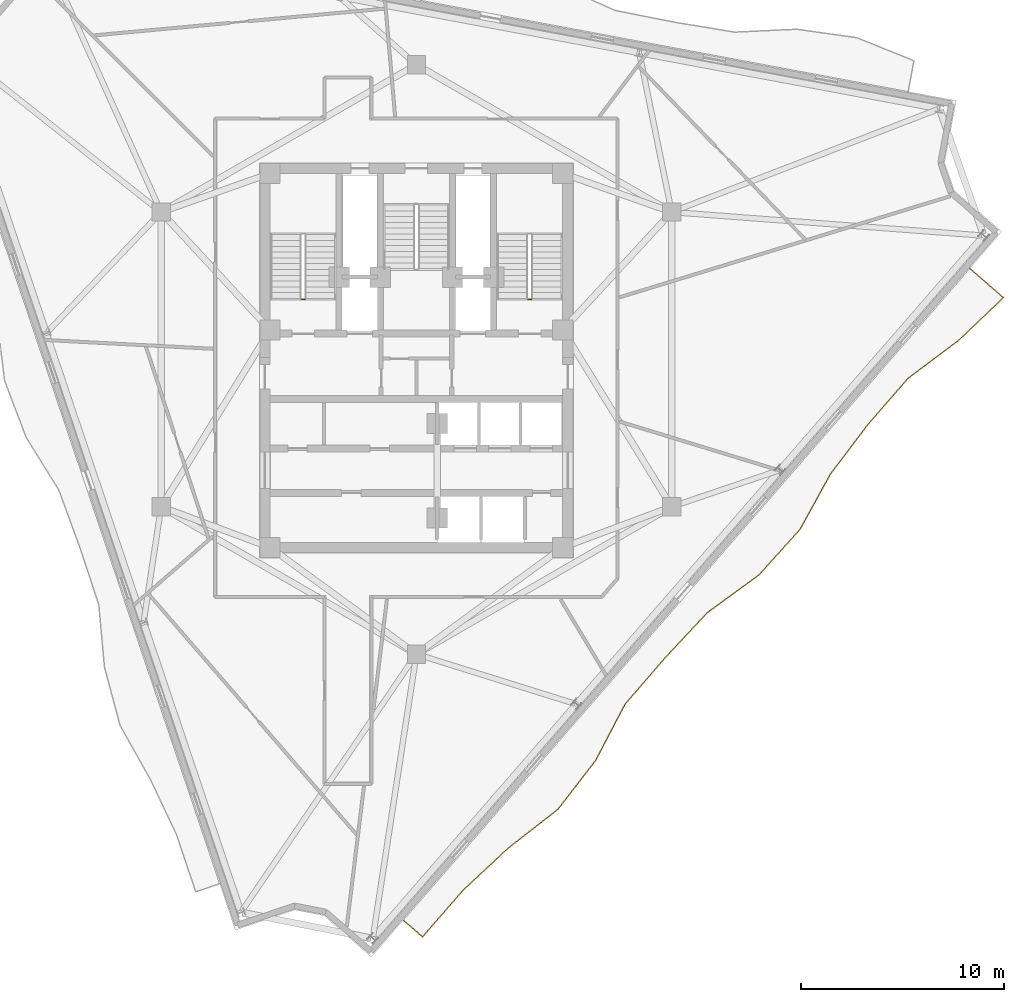
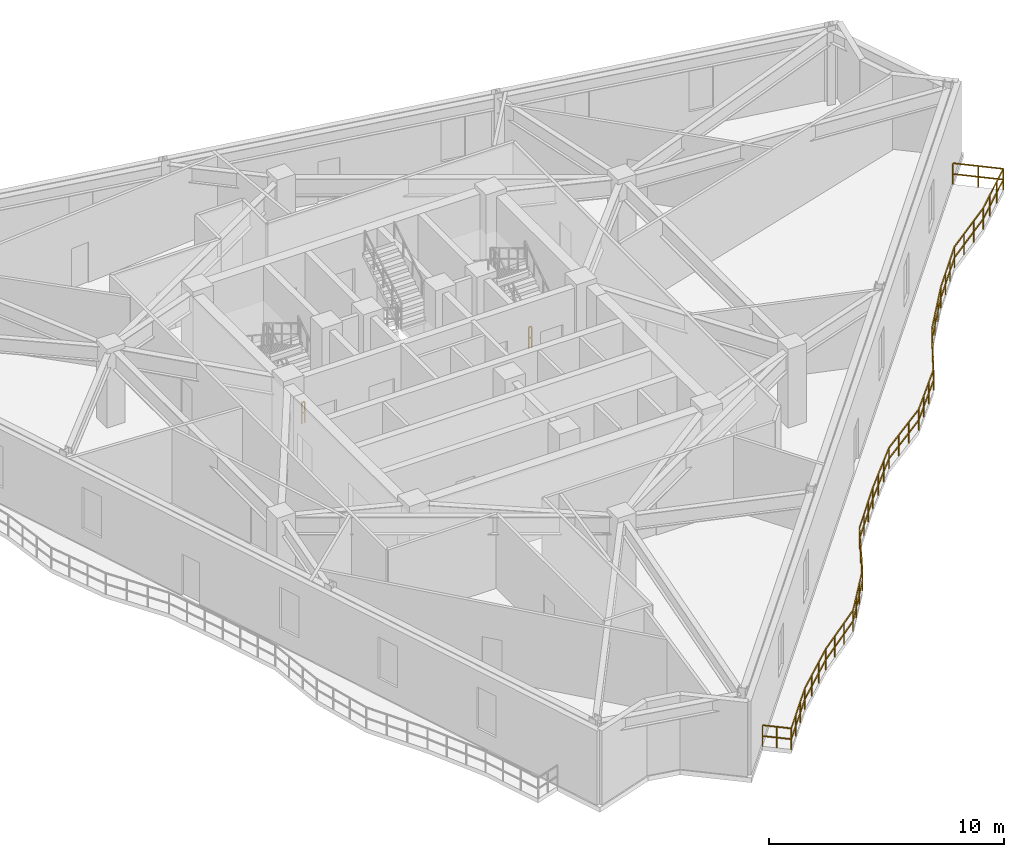
# One storey, part 9 of 11: 3 railings.
"""IFC4 building model written with IfcOpenShell, lengths in metres."""

from ifc_helpers import new_model, si_unit, direction, frame, origin, origin_2d, place, context, subcontext, project, spatial, rectangle, extrude, material, type_object, element, save


model = new_model("IFC4")

# Units and contexts
model_context = context("Model", 3, precision=1e-05, world=origin(), true_north=direction((0.0, 1.0)))
body_context = subcontext(model_context, "Body", "Model", "MODEL_VIEW")
ifc_project = project(units=[si_unit("LENGTHUNIT", "METRE"), si_unit("AREAUNIT", "SQUARE_METRE"), si_unit("VOLUMEUNIT", "CUBIC_METRE"), si_unit("PLANEANGLEUNIT", "RADIAN"), si_unit("MASSUNIT", "GRAM", prefix="KILO")], contexts=[model_context])

# Site, building, storey
site_placement = place(None, origin())
site = spatial("IfcSite", under=ifc_project, at=site_placement, CompositionType="ELEMENT")
building_placement = place(site_placement, origin())
building = spatial("IfcBuilding", under=site, at=building_placement, Name="Apsidion Concourse Tower", CompositionType="ELEMENT")
storey_placement = place(building_placement, frame((0.0, 0.0, 281.89990234375)))
storey = spatial("IfcBuildingStorey", under=building, at=storey_placement, Name="L66", CompositionType="ELEMENT", Elevation=281.89990234375)

# Railings
ifc_material = material(Name="Brushed stainless steel 316", Category="steel")
railing_type_1 = type_object("IfcRailingType", Name="RL-BAL-1120", PredefinedType="BALUSTRADE", material=ifc_material)
railing_placement = place(storey_placement, frame((27.2392578125, 4.47607421875, 0.0)))
element("IfcRailing", 1, at=railing_placement, inside=storey, type_object=railing_type_1, Name="L66 Face 2 Rippling Balcony Balustrade", PredefinedType="BALUSTRADE", context=body_context, shape_type="SweptSolid", body=[
    extrude(rectangle(XDim=0.048095703125, YDim=0.048095703125, at=origin_2d()), frame((0.0, 0.0, 1.09619140625), z_axis=(0.754708818152, -0.656059905651, 0.0), x_axis=(0.656059905651, 0.754708818152, 0.0)), (0.0, 0.0, 1.0), 2.187744140625),
    extrude(rectangle(XDim=0.048095703125, YDim=0.048095703125, at=origin_2d()), frame((0.0, 0.0, 0.5361328125), z_axis=(0.754708818152, -0.656059905651, 0.0), x_axis=(0.656059905651, 0.754708818152, 0.0)), (0.0, 0.0, 1.0), 2.187744140625),
    extrude(rectangle(XDim=0.048095703125, YDim=0.048095703125, at=origin_2d()), frame((1.651123046875, -1.435302734375, 1.09619140625), z_axis=(-0.723644532567, -0.690172870001, 0.0), x_axis=(0.690172870001, -0.723644532567, 0.0)), (0.0, 0.0, 1.0), 3.048828125),
    extrude(rectangle(XDim=0.048095703125, YDim=0.048095703125, at=origin_2d()), frame((1.651123046875, -1.435302734375, 0.5361328125), z_axis=(-0.723644532567, -0.690172870001, 0.0), x_axis=(0.690172870001, -0.723644532567, 0.0)), (0.0, 0.0, 1.0), 3.048828125),
    extrude(rectangle(XDim=0.048095703125, YDim=0.048095703125, at=origin_2d()), frame((-0.55517578125, -3.53955078125, 1.09619140625), z_axis=(-0.800150946552, -0.599798685171, 0.0), x_axis=(0.599798685171, -0.800150946552, 0.0)), (0.0, 0.0, 1.0), 3.10498046875),
    extrude(rectangle(XDim=0.048095703125, YDim=0.048095703125, at=origin_2d()), frame((-0.55517578125, -3.53955078125, 0.5361328125), z_axis=(-0.800150946552, -0.599798685171, 0.0), x_axis=(0.599798685171, -0.800150946552, 0.0)), (0.0, 0.0, 1.0), 3.10498046875),
    extrude(rectangle(XDim=0.048095703125, YDim=0.048095703125, at=origin_2d()), frame((-3.03955078125, -5.40185546875, 1.09619140625), z_axis=(-0.656041311893, -0.754724981096, 0.0), x_axis=(0.754724981096, -0.656041311893, 0.0)), (0.0, 0.0, 1.0), 3.03564453125),
    extrude(rectangle(XDim=0.048095703125, YDim=0.048095703125, at=origin_2d()), frame((-3.03955078125, -5.40185546875, 0.5361328125), z_axis=(-0.656041311893, -0.754724981096, 0.0), x_axis=(0.754724981096, -0.656041311893, 0.0)), (0.0, 0.0, 1.0), 3.03564453125),
    extrude(rectangle(XDim=0.048095703125, YDim=0.048095703125, at=origin_2d()), frame((-5.031005859375, -7.69287109375, 1.09619140625), z_axis=(-0.602500460173, -0.798118534737, 0.0), x_axis=(0.798118534737, -0.602500460173, 0.0)), (0.0, 0.0, 1.0), 3.042724609375),
    extrude(rectangle(XDim=0.048095703125, YDim=0.048095703125, at=origin_2d()), frame((-5.031005859375, -7.69287109375, 0.5361328125), z_axis=(-0.602500460173, -0.798118534737, 0.0), x_axis=(0.798118534737, -0.602500460173, 0.0)), (0.0, 0.0, 1.0), 3.042724609375),
    extrude(rectangle(XDim=0.048095703125, YDim=0.048095703125, at=origin_2d()), frame((-6.8642578125, -10.121337890625, 1.09619140625), z_axis=(-0.482148090976, -0.876089731916, 0.0), x_axis=(0.876089731916, -0.482148090976, 0.0)), (0.0, 0.0, 1.0), 3.10546875),
    extrude(rectangle(XDim=0.048095703125, YDim=0.048095703125, at=origin_2d()), frame((-6.8642578125, -10.121337890625, 0.5361328125), z_axis=(-0.482148090976, -0.876089731916, 0.0), x_axis=(0.876089731916, -0.482148090976, 0.0)), (0.0, 0.0, 1.0), 3.10546875),
    extrude(rectangle(XDim=0.048095703125, YDim=0.048095703125, at=origin_2d()), frame((-8.361572265625, -12.842041015625, 1.09619140625), z_axis=(-0.670034783751, -0.742329703409, 0.0), x_axis=(0.742329703409, -0.670034783751, 0.0)), (0.0, 0.0, 1.0), 3.035888671875),
    extrude(rectangle(XDim=0.048095703125, YDim=0.048095703125, at=origin_2d()), frame((-8.361572265625, -12.842041015625, 0.5361328125), z_axis=(-0.670034783751, -0.742329703409, 0.0), x_axis=(0.742329703409, -0.670034783751, 0.0)), (0.0, 0.0, 1.0), 3.035888671875),
    extrude(rectangle(XDim=0.048095703125, YDim=0.048095703125, at=origin_2d()), frame((-10.395751953125, -15.095703125, 1.09619140625), z_axis=(-0.808312168585, -0.588754140637, 0.0), x_axis=(0.588754140637, -0.808312168585, 0.0)), (0.0, 0.0, 1.0), 3.114501953125),
    extrude(rectangle(XDim=0.048095703125, YDim=0.048095703125, at=origin_2d()), frame((-10.395751953125, -15.095703125, 0.5361328125), z_axis=(-0.808312168585, -0.588754140637, 0.0), x_axis=(0.588754140637, -0.808312168585, 0.0)), (0.0, 0.0, 1.0), 3.114501953125),
    extrude(rectangle(XDim=0.048095703125, YDim=0.048095703125, at=origin_2d()), frame((-12.913330078125, -16.929443359375, 1.09619140625), z_axis=(-0.683165424662, -0.730263652763, 0.0), x_axis=(0.730263652763, -0.683165424662, 0.0)), (0.0, 0.0, 1.0), 3.03759765625),
    extrude(rectangle(XDim=0.048095703125, YDim=0.048095703125, at=origin_2d()), frame((-12.913330078125, -16.929443359375, 0.5361328125), z_axis=(-0.683165424662, -0.730263652763, 0.0), x_axis=(0.730263652763, -0.683165424662, 0.0)), (0.0, 0.0, 1.0), 3.03759765625),
    extrude(rectangle(XDim=0.048095703125, YDim=0.048095703125, at=origin_2d()), frame((-14.988525390625, -19.147705078125, 1.09619140625), z_axis=(-0.653582176435, -0.756855559963, 0.0), x_axis=(0.756855559963, -0.653582176435, 0.0)), (0.0, 0.0, 1.0), 3.035400390625),
    extrude(rectangle(XDim=0.048095703125, YDim=0.048095703125, at=origin_2d()), frame((-14.988525390625, -19.147705078125, 0.5361328125), z_axis=(-0.653582176435, -0.756855559963, 0.0), x_axis=(0.756855559963, -0.653582176435, 0.0)), (0.0, 0.0, 1.0), 3.035400390625),
    extrude(rectangle(XDim=0.048095703125, YDim=0.048095703125, at=origin_2d()), frame((-16.972412109375, -21.445068359375, 1.09619140625), z_axis=(-0.463226279568, -0.886240043057, 0.0), x_axis=(0.886240043057, -0.463226279568, 0.0)), (0.0, 0.0, 1.0), 3.12060546875),
    extrude(rectangle(XDim=0.048095703125, YDim=0.048095703125, at=origin_2d()), frame((-16.972412109375, -21.445068359375, 0.5361328125), z_axis=(-0.463226279568, -0.886240043057, 0.0), x_axis=(0.886240043057, -0.463226279568, 0.0)), (0.0, 0.0, 1.0), 3.12060546875),
    extrude(rectangle(XDim=0.048095703125, YDim=0.048095703125, at=origin_2d()), frame((-18.41796875, -24.210693359375, 1.09619140625), z_axis=(-0.611029227649, -0.791608036189, 0.0), x_axis=(0.791608036189, -0.611029227649, 0.0)), (0.0, 0.0, 1.0), 3.04052734375),
    extrude(rectangle(XDim=0.048095703125, YDim=0.048095703125, at=origin_2d()), frame((-18.41796875, -24.210693359375, 0.5361328125), z_axis=(-0.611029227649, -0.791608036189, 0.0), x_axis=(0.791608036189, -0.611029227649, 0.0)), (0.0, 0.0, 1.0), 3.04052734375),
    extrude(rectangle(XDim=0.048095703125, YDim=0.048095703125, at=origin_2d()), frame((-20.27587890625, -26.61767578125, 1.09619140625), z_axis=(-0.788450239472, -0.61509854485, 0.0), x_axis=(0.61509854485, -0.788450239472, 0.0)), (0.0, 0.0, 1.0), 3.0927734375),
    extrude(rectangle(XDim=0.048095703125, YDim=0.048095703125, at=origin_2d()), frame((-20.27587890625, -26.61767578125, 0.5361328125), z_axis=(-0.788450239472, -0.61509854485, 0.0), x_axis=(0.61509854485, -0.788450239472, 0.0)), (0.0, 0.0, 1.0), 3.0927734375),
    extrude(rectangle(XDim=0.048095703125, YDim=0.048095703125, at=origin_2d()), frame((-22.71435546875, -28.52001953125, 1.09619140625), z_axis=(-0.731121765968, -0.682246995836, 0.0), x_axis=(0.682246995836, -0.731121765968, 0.0)), (0.0, 0.0, 1.0), 3.052001953125),
    extrude(rectangle(XDim=0.048095703125, YDim=0.048095703125, at=origin_2d()), frame((-22.71435546875, -28.52001953125, 0.5361328125), z_axis=(-0.731121765968, -0.682246995836, 0.0), x_axis=(0.682246995836, -0.731121765968, 0.0)), (0.0, 0.0, 1.0), 3.052001953125),
    extrude(rectangle(XDim=0.048095703125, YDim=0.048095703125, at=origin_2d()), frame((-24.94580078125, -30.602294921875, 1.09619140625), z_axis=(-0.656041311893, -0.754724981096, 0.0), x_axis=(0.754724981096, -0.656041311893, 0.0)), (0.0, 0.0, 1.0), 3.03564453125),
    extrude(rectangle(XDim=0.048095703125, YDim=0.048095703125, at=origin_2d()), frame((-24.94580078125, -30.602294921875, 0.5361328125), z_axis=(-0.656041311893, -0.754724981096, 0.0), x_axis=(0.754724981096, -0.656041311893, 0.0)), (0.0, 0.0, 1.0), 3.03564453125),
    extrude(rectangle(XDim=0.048095703125, YDim=0.048095703125, at=origin_2d()), frame((-26.937255859375, -32.893310546875, 1.09619140625), z_axis=(-0.754786276377, 0.655970789741, 0.0), x_axis=(-0.655970789741, -0.754786276377, 0.0)), (0.0, 0.0, 1.0), 1.250244140625),
    extrude(rectangle(XDim=0.048095703125, YDim=0.048095703125, at=origin_2d()), frame((-26.937255859375, -32.893310546875, 0.5361328125), z_axis=(-0.754786276377, 0.655970789741, 0.0), x_axis=(-0.655970789741, -0.754786276377, 0.0)), (0.0, 0.0, 1.0), 1.250244140625),
    extrude(rectangle(XDim=0.0419921875, YDim=0.0419921875, at=origin_2d()), origin(), (0.0, 0.0, 1.0), 1.072021484375),
    extrude(rectangle(XDim=0.0419921875, YDim=0.0419921875, at=origin_2d()), frame((0.82568359375, -0.7177734375, 0.0)), (0.0, 0.0, 1.0), 1.072021484375),
    extrude(rectangle(XDim=0.0419921875, YDim=0.0419921875, at=origin_2d()), frame((1.651123046875, -1.435302734375, 0.0)), (0.0, 0.0, 1.0), 1.072021484375),
    extrude(rectangle(XDim=0.0419921875, YDim=0.0419921875, at=origin_2d()), frame((0.915771484375, -2.13671875, 0.0)), (0.0, 0.0, 1.0), 1.072021484375),
    extrude(rectangle(XDim=0.0419921875, YDim=0.0419921875, at=origin_2d()), frame((0.18017578125, -2.838134765625, 0.0)), (0.0, 0.0, 1.0), 1.072021484375),
    extrude(rectangle(XDim=0.0419921875, YDim=0.0419921875, at=origin_2d()), frame((-0.55517578125, -3.53955078125, 0.0)), (0.0, 0.0, 1.0), 1.072021484375),
    extrude(rectangle(XDim=0.0419921875, YDim=0.0419921875, at=origin_2d()), frame((-1.38330078125, -4.160400390625, 0.0)), (0.0, 0.0, 1.0), 1.072021484375),
    extrude(rectangle(XDim=0.0419921875, YDim=0.0419921875, at=origin_2d()), frame((-2.21142578125, -4.781005859375, 0.0)), (0.0, 0.0, 1.0), 1.072021484375),
    extrude(rectangle(XDim=0.0419921875, YDim=0.0419921875, at=origin_2d()), frame((-3.03955078125, -5.40185546875, 0.0)), (0.0, 0.0, 1.0), 1.072021484375),
    extrude(rectangle(XDim=0.0419921875, YDim=0.0419921875, at=origin_2d()), frame((-3.703369140625, -6.16552734375, 0.0)), (0.0, 0.0, 1.0), 1.072021484375),
    extrude(rectangle(XDim=0.0419921875, YDim=0.0419921875, at=origin_2d()), frame((-4.3671875, -6.92919921875, 0.0)), (0.0, 0.0, 1.0), 1.072021484375),
    extrude(rectangle(XDim=0.0419921875, YDim=0.0419921875, at=origin_2d()), frame((-5.031005859375, -7.69287109375, 0.0)), (0.0, 0.0, 1.0), 1.072021484375),
    extrude(rectangle(XDim=0.0419921875, YDim=0.0419921875, at=origin_2d()), frame((-5.64208984375, -8.50244140625, 0.0)), (0.0, 0.0, 1.0), 1.072021484375),
    extrude(rectangle(XDim=0.0419921875, YDim=0.0419921875, at=origin_2d()), frame((-6.253173828125, -9.311767578125, 0.0)), (0.0, 0.0, 1.0), 1.072021484375),
    extrude(rectangle(XDim=0.0419921875, YDim=0.0419921875, at=origin_2d()), frame((-6.8642578125, -10.121337890625, 0.0)), (0.0, 0.0, 1.0), 1.072021484375),
    extrude(rectangle(XDim=0.0419921875, YDim=0.0419921875, at=origin_2d()), frame((-7.36328125, -11.0283203125, 0.0)), (0.0, 0.0, 1.0), 1.072021484375),
    extrude(rectangle(XDim=0.0419921875, YDim=0.0419921875, at=origin_2d()), frame((-7.862548828125, -11.93505859375, 0.0)), (0.0, 0.0, 1.0), 1.072021484375),
    extrude(rectangle(XDim=0.0419921875, YDim=0.0419921875, at=origin_2d()), frame((-8.361572265625, -12.842041015625, 0.0)), (0.0, 0.0, 1.0), 1.072021484375),
    extrude(rectangle(XDim=0.0419921875, YDim=0.0419921875, at=origin_2d()), frame((-9.03955078125, -13.59326171875, 0.0)), (0.0, 0.0, 1.0), 1.072021484375),
    extrude(rectangle(XDim=0.0419921875, YDim=0.0419921875, at=origin_2d()), frame((-9.7177734375, -14.344482421875, 0.0)), (0.0, 0.0, 1.0), 1.072021484375),
    extrude(rectangle(XDim=0.0419921875, YDim=0.0419921875, at=origin_2d()), frame((-10.395751953125, -15.095703125, 0.0)), (0.0, 0.0, 1.0), 1.072021484375),
    extrude(rectangle(XDim=0.0419921875, YDim=0.0419921875, at=origin_2d()), frame((-11.23486328125, -15.70703125, 0.0)), (0.0, 0.0, 1.0), 1.072021484375),
    extrude(rectangle(XDim=0.0419921875, YDim=0.0419921875, at=origin_2d()), frame((-12.07421875, -16.318115234375, 0.0)), (0.0, 0.0, 1.0), 1.072021484375),
    extrude(rectangle(XDim=0.0419921875, YDim=0.0419921875, at=origin_2d()), frame((-12.913330078125, -16.929443359375, 0.0)), (0.0, 0.0, 1.0), 1.072021484375),
    extrude(rectangle(XDim=0.0419921875, YDim=0.0419921875, at=origin_2d()), frame((-13.60498046875, -17.6689453125, 0.0)), (0.0, 0.0, 1.0), 1.072021484375),
    extrude(rectangle(XDim=0.0419921875, YDim=0.0419921875, at=origin_2d()), frame((-14.296875, -18.408203125, 0.0)), (0.0, 0.0, 1.0), 1.072021484375),
    extrude(rectangle(XDim=0.0419921875, YDim=0.0419921875, at=origin_2d()), frame((-14.988525390625, -19.147705078125, 0.0)), (0.0, 0.0, 1.0), 1.072021484375),
    extrude(rectangle(XDim=0.0419921875, YDim=0.0419921875, at=origin_2d()), frame((-15.64990234375, -19.91357421875, 0.0)), (0.0, 0.0, 1.0), 1.072021484375),
    extrude(rectangle(XDim=0.0419921875, YDim=0.0419921875, at=origin_2d()), frame((-16.31103515625, -20.67919921875, 0.0)), (0.0, 0.0, 1.0), 1.072021484375),
    extrude(rectangle(XDim=0.0419921875, YDim=0.0419921875, at=origin_2d()), frame((-16.972412109375, -21.445068359375, 0.0)), (0.0, 0.0, 1.0), 1.072021484375),
    extrude(rectangle(XDim=0.0419921875, YDim=0.0419921875, at=origin_2d()), frame((-17.454345703125, -22.366943359375, 0.0)), (0.0, 0.0, 1.0), 1.072021484375),
    extrude(rectangle(XDim=0.0419921875, YDim=0.0419921875, at=origin_2d()), frame((-17.93603515625, -23.288818359375, 0.0)), (0.0, 0.0, 1.0), 1.072021484375),
    extrude(rectangle(XDim=0.0419921875, YDim=0.0419921875, at=origin_2d()), frame((-18.41796875, -24.210693359375, 0.0)), (0.0, 0.0, 1.0), 1.072021484375),
    extrude(rectangle(XDim=0.0419921875, YDim=0.0419921875, at=origin_2d()), frame((-19.037353515625, -25.012939453125, 0.0)), (0.0, 0.0, 1.0), 1.072021484375),
    extrude(rectangle(XDim=0.0419921875, YDim=0.0419921875, at=origin_2d()), frame((-19.656494140625, -25.8154296875, 0.0)), (0.0, 0.0, 1.0), 1.072021484375),
    extrude(rectangle(XDim=0.0419921875, YDim=0.0419921875, at=origin_2d()), frame((-20.27587890625, -26.61767578125, 0.0)), (0.0, 0.0, 1.0), 1.072021484375),
    extrude(rectangle(XDim=0.0419921875, YDim=0.0419921875, at=origin_2d()), frame((-21.088623046875, -27.251708984375, 0.0)), (0.0, 0.0, 1.0), 1.072021484375),
    extrude(rectangle(XDim=0.0419921875, YDim=0.0419921875, at=origin_2d()), frame((-21.901611328125, -27.885986328125, 0.0)), (0.0, 0.0, 1.0), 1.072021484375),
    extrude(rectangle(XDim=0.0419921875, YDim=0.0419921875, at=origin_2d()), frame((-22.71435546875, -28.52001953125, 0.0)), (0.0, 0.0, 1.0), 1.072021484375),
    extrude(rectangle(XDim=0.0419921875, YDim=0.0419921875, at=origin_2d()), frame((-23.458251953125, -29.214111328125, 0.0)), (0.0, 0.0, 1.0), 1.072021484375),
    extrude(rectangle(XDim=0.0419921875, YDim=0.0419921875, at=origin_2d()), frame((-24.201904296875, -29.908203125, 0.0)), (0.0, 0.0, 1.0), 1.072021484375),
    extrude(rectangle(XDim=0.0419921875, YDim=0.0419921875, at=origin_2d()), frame((-24.94580078125, -30.602294921875, 0.0)), (0.0, 0.0, 1.0), 1.072021484375),
    extrude(rectangle(XDim=0.0419921875, YDim=0.0419921875, at=origin_2d()), frame((-25.609619140625, -31.365966796875, 0.0)), (0.0, 0.0, 1.0), 1.072021484375),
    extrude(rectangle(XDim=0.0419921875, YDim=0.0419921875, at=origin_2d()), frame((-26.2734375, -32.129638671875, 0.0)), (0.0, 0.0, 1.0), 1.072021484375),
    extrude(rectangle(XDim=0.0419921875, YDim=0.0419921875, at=origin_2d()), frame((-26.937255859375, -32.893310546875, 0.0)), (0.0, 0.0, 1.0), 1.072021484375),
    extrude(rectangle(XDim=0.0419921875, YDim=0.0419921875, at=origin_2d()), frame((-27.4091796875, -32.4833984375, 0.0)), (0.0, 0.0, 1.0), 1.072021484375),
    extrude(rectangle(XDim=0.0419921875, YDim=0.0419921875, at=origin_2d()), frame((-27.880859375, -32.0732421875, 0.0)), (0.0, 0.0, 1.0), 1.072021484375),
])
railing_type_2 = type_object("IfcRailingType", Name="RL-GUARD-1100", PredefinedType="GUARDRAIL", material=ifc_material)
for number, where, name in (
    (2, (-5.5, 2.949951171875, 0.0), "L66 ST1 stair guard 4"),
    (3, (5.64990234375, 2.949951171875, 0.0), "L66 ST2 stair guard 4"),
):
    element("IfcRailing", number, at=place(storey_placement, frame(where)), inside=storey, type_object=railing_type_2, Name=name, PredefinedType="GUARDRAIL", context=body_context, shape_type="SweptSolid", body=[
        extrude(rectangle(XDim=0.048095703125, YDim=0.048095703125, at=origin_2d()), frame((0.0, 0.0, 1.09619140625), z_axis=(-1.0, 0.0, 0.0), x_axis=(0.0, -1.0, 0.0)), (0.0, 0.0, 1.0), 0.14990234375),
        extrude(rectangle(XDim=0.048095703125, YDim=0.048095703125, at=origin_2d()), frame((0.0, 0.0, 0.5361328125), z_axis=(-1.0, 0.0, 0.0), x_axis=(0.0, -1.0, 0.0)), (0.0, 0.0, 1.0), 0.14990234375),
        extrude(rectangle(XDim=0.0419921875, YDim=0.0419921875, at=origin_2d()), origin(), (0.0, 0.0, 1.0), 1.072021484375),
        extrude(rectangle(XDim=0.0419921875, YDim=0.0419921875, at=origin_2d()), frame((-0.14990234375, 0.0, 0.0)), (0.0, 0.0, 1.0), 1.072021484375),
    ])

save(model, "model.ifc")
